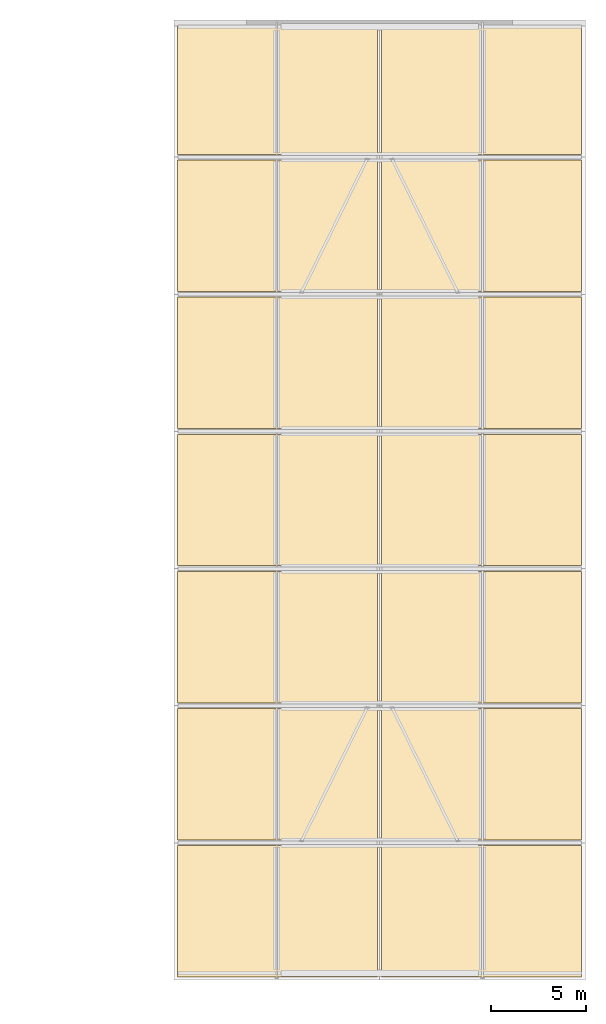
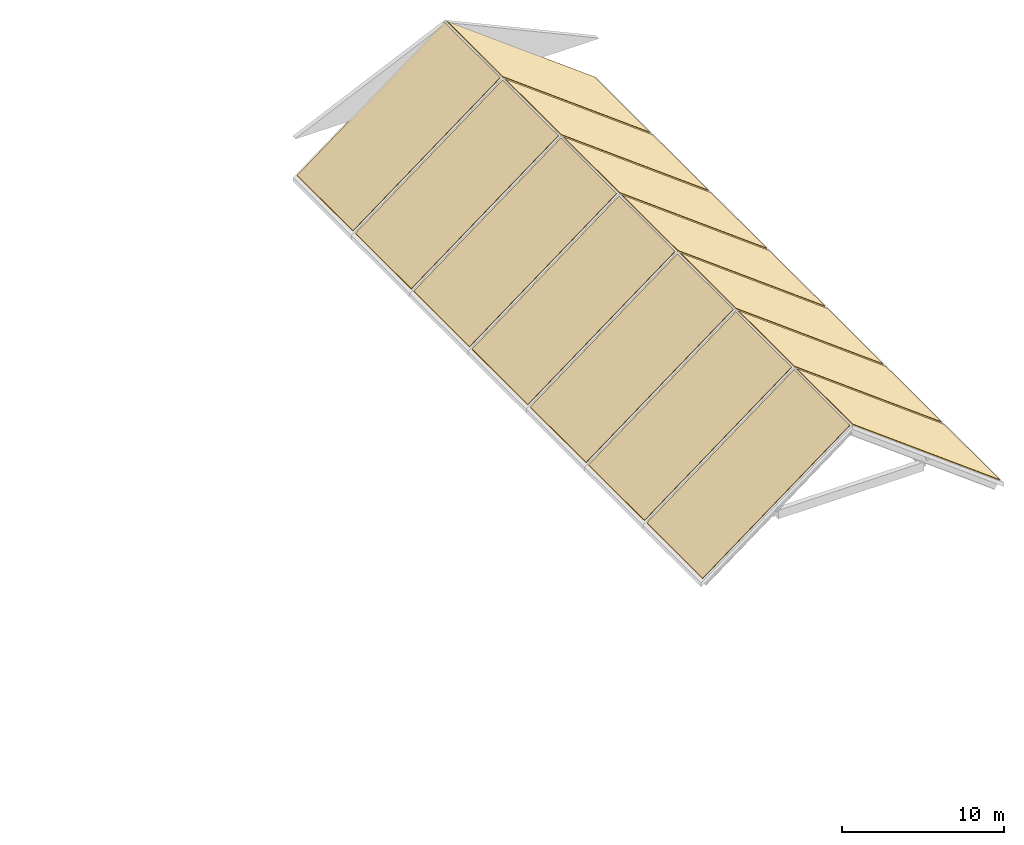
# One storey, part 15 of 16: 14 coverings.
"""IFC4 building model written with IfcOpenShell, lengths in metres."""

from ifc_helpers import new_model, si_unit, derived_unit, direction, frame, origin, place, context, subcontext, project, spatial, polyline, outline, extrude, material, layer, layer_set, type_object, element, save


model = new_model("IFC4")

# Units and contexts
model_context = context("Model", 3, precision=1e-05, world=origin(), true_north=direction((0.0, 1.0)))
body_context = subcontext(model_context, "Body", "Model", "MODEL_VIEW")
ifc_project = project(units=[si_unit("LENGTHUNIT", "METRE"), si_unit("AREAUNIT", "SQUARE_METRE"), si_unit("VOLUMEUNIT", "CUBIC_METRE"), si_unit("PLANEANGLEUNIT", "RADIAN"), si_unit("MASSUNIT", "GRAM", prefix="KILO"), derived_unit("THERMALTRANSMITTANCEUNIT", [(si_unit("MASSUNIT", "GRAM", prefix="KILO"), 1), (si_unit("TIMEUNIT", "SECOND"), -3), (si_unit("THERMODYNAMICTEMPERATUREUNIT", "KELVIN"), -1)])], contexts=[model_context])

# Site, building, storey
site_placement = place(None, origin())
site = spatial("IfcSite", under=ifc_project, at=site_placement, CompositionType="ELEMENT")
building_placement = place(site_placement, origin())
building = spatial("IfcBuilding", under=site, at=building_placement, Name="Ochrekiln Boulevard Commons", CompositionType="ELEMENT")
storey_placement = place(building_placement, frame((0.0, 0.0, 43.574951171875)))
storey = spatial("IfcBuildingStorey", under=building, at=storey_placement, Name="L13", CompositionType="ELEMENT", Elevation=43.574951171875)

# Coverings
ifc_material = material(Name="Crystalline silicon BIPV solar roof slate", Category="masonry")
ifc_layer = layer(ifc_material, 0.044921875)
ifc_layer_set = layer_set([ifc_layer], Name="Crystalline silicon BIPV solar roof slate")
covering_type = type_object("IfcCoveringType", Name="COV-ROOF-SOLAR", PredefinedType="ROOFING", material=ifc_layer_set)
for number, where, z_axis, x_axis, name in (
    (1, (151.39990234375, 75.449951171875, -3.5048828125), (0.0, -1.0, 0.0), (1.0, 0.0, 0.0), "Block B BIPV Solar Roof Array Bay 1W"),
    (2, (172.60009765625, 68.550048828125, -3.5048828125), (0.0, 1.0, 0.0), (-1.0, 0.0, 0.0), "Block B BIPV Solar Roof Array Bay 1E"),
    (3, (151.39990234375, 82.64990234375, -3.5048828125), (0.0, -1.0, 0.0), (1.0, 0.0, 0.0), "Block B BIPV Solar Roof Array Bay 2W"),
    (4, (172.60009765625, 75.75, -3.5048828125), (0.0, 1.0, 0.0), (-1.0, 0.0, 0.0), "Block B BIPV Solar Roof Array Bay 2E"),
    (5, (151.39990234375, 89.85009765625, -3.5048828125), (0.0, -1.0, 0.0), (1.0, 0.0, 0.0), "Block B BIPV Solar Roof Array Bay 3W"),
    (6, (172.60009765625, 82.949951171875, -3.5048828125), (0.0, 1.0, 0.0), (-1.0, 0.0, 0.0), "Block B BIPV Solar Roof Array Bay 3E"),
    (7, (151.39990234375, 97.050048828125, -3.5048828125), (0.0, -1.0, 0.0), (1.0, 0.0, 0.0), "Block B BIPV Solar Roof Array Bay 4W"),
    (8, (172.60009765625, 90.14990234375, -3.5048828125), (0.0, 1.0, 0.0), (-1.0, 0.0, 0.0), "Block B BIPV Solar Roof Array Bay 4E"),
    (9, (151.39990234375, 104.25, -3.5048828125), (0.0, -1.0, 0.0), (1.0, 0.0, 0.0), "Block B BIPV Solar Roof Array Bay 5W"),
    (10, (172.60009765625, 97.35009765625, -3.5048828125), (0.0, 1.0, 0.0), (-1.0, 0.0, 0.0), "Block B BIPV Solar Roof Array Bay 5E"),
    (11, (151.39990234375, 111.449951171875, -3.5048828125), (0.0, -1.0, 0.0), (1.0, 0.0, 0.0), "Block B BIPV Solar Roof Array Bay 6W"),
    (12, (172.60009765625, 104.550048828125, -3.5048828125), (0.0, 1.0, 0.0), (-1.0, 0.0, 0.0), "Block B BIPV Solar Roof Array Bay 6E"),
    (13, (151.39990234375, 118.64990234375, -3.5048828125), (0.0, -1.0, 0.0), (1.0, 0.0, 0.0), "Block B BIPV Solar Roof Array Bay 7W"),
    (14, (172.60009765625, 111.75, -3.5048828125), (0.0, 1.0, 0.0), (-1.0, 0.0, 0.0), "Block B BIPV Solar Roof Array Bay 7E"),
):
    element("IfcCovering", number, at=place(storey_placement, frame(where, z_axis=z_axis, x_axis=x_axis)), inside=storey, type_object=covering_type, Name=name, PredefinedType="ROOFING", context=body_context, shape_type="SweptSolid", body=[
        extrude(outline(polyline([(0.0, 0.0), (10.5, 7.875), (10.5, 7.81884765625), (0.0, -0.05615234375), (0.0, 0.0)])), origin(), (0.0, 0.0, 1.0), 6.89990234375),
    ])

save(model, "model.ifc")
